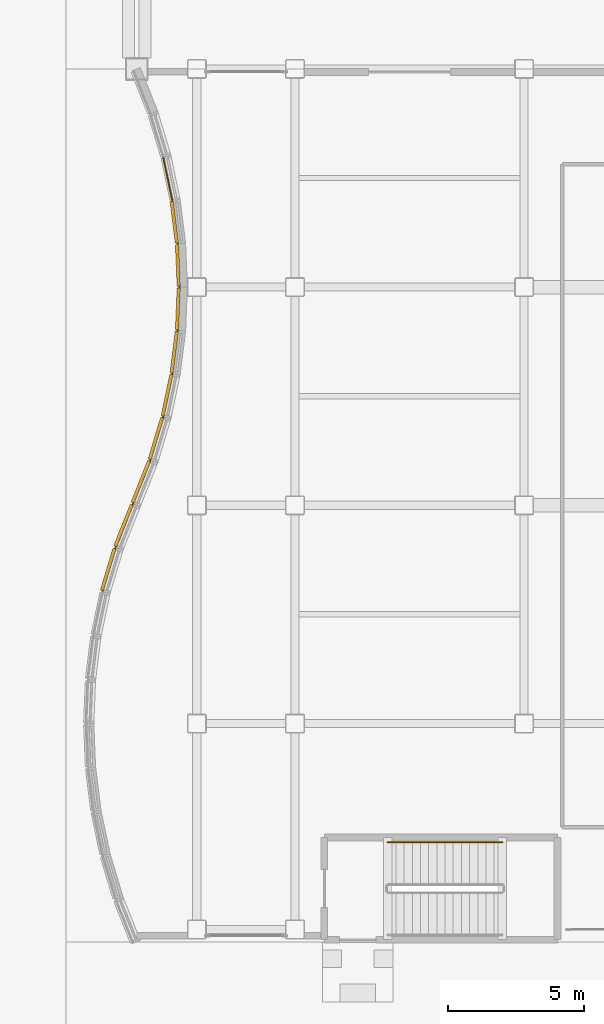
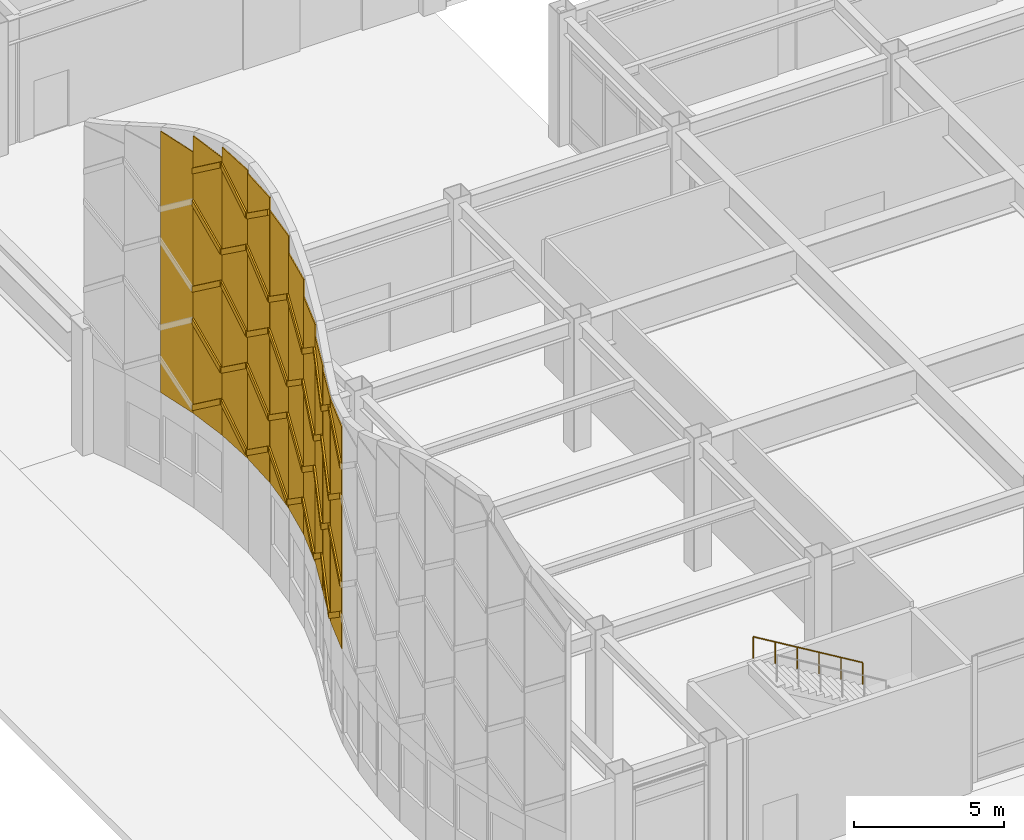
# One storey, part 141 of 165: 49 coverings, 1 railing.
"""IFC4 building model written with IfcOpenShell, lengths in metres."""

from ifc_helpers import new_model, si_unit, direction, frame, origin, origin_2d, place, context, subcontext, project, spatial, polyline, rectangle, circle, outline, extrude, material, layer, layer_set, type_object, element, save


model = new_model("IFC4")

# Units and contexts
model_context = context("Model", 3, precision=1e-05, world=origin(), true_north=direction((0.0, 1.0)))
body_context = subcontext(model_context, "Body", "Model", "MODEL_VIEW")
ifc_project = project(units=[si_unit("LENGTHUNIT", "METRE"), si_unit("AREAUNIT", "SQUARE_METRE"), si_unit("VOLUMEUNIT", "CUBIC_METRE"), si_unit("PLANEANGLEUNIT", "RADIAN"), si_unit("MASSUNIT", "GRAM", prefix="KILO")], contexts=[model_context])

# Site, building, storey
site_placement = place(None, origin())
site = spatial("IfcSite", under=ifc_project, at=site_placement, CompositionType="ELEMENT")
building_placement = place(site_placement, origin())
building = spatial("IfcBuilding", under=site, at=building_placement, Name="Kazehara Bluff Congress Hotel", CompositionType="ELEMENT")
storey_placement = place(building_placement, origin())
storey = spatial("IfcBuildingStorey", under=building, at=storey_placement, Name="L00", CompositionType="ELEMENT", Elevation=0.0)

# Coverings
ifc_material_1 = material(Name="Basalt stone-grey chevron ceramic tile", Category="masonry")
ifc_layer_1 = layer(ifc_material_1, 0.1201171875)
ifc_layer_set_1 = layer_set([ifc_layer_1], Name="Basalt stone-grey chevron ceramic tile")
covering_type_1 = type_object("IfcCoveringType", Name="TP-CHV-RIB", PredefinedType="CLADDING", material=ifc_layer_set_1)
covering_1_placement = place(storey_placement, frame((1.31494140625, 12.85009765625, 4.0), z_axis=(0.0, 0.0, 1.0), x_axis=(0.287361295213, 0.957822262225, 0.0)))
element("IfcCovering", 1, at=covering_1_placement, inside=storey, type_object=covering_type_1, Name="Chevron stone-grey tile rib WR-V2-09-1", PredefinedType="CLADDING", context=body_context, shape_type="SweptSolid", body=[
    extrude(outline(polyline([(0.0400390625, 1.14501953125), (1.6298828125, 0.0), (1.6298828125, 0.239990234375), (0.0400390625, 1.385009765625), (0.0400390625, 1.14501953125)])), frame((0.0, 0.06005859375, 0.0), z_axis=(0.0, -1.0, 0.0), x_axis=(1.0, 0.0, 0.0)), (0.0, 0.0, 1.0), 0.1201171875),
])
covering_2_placement = place(storey_placement, frame((1.31494140625, 12.85009765625, 6.39990234375), z_axis=(0.0, 0.0, 1.0), x_axis=(0.287361295213, 0.957822262225, 0.0)))
element("IfcCovering", 2, at=covering_2_placement, inside=storey, type_object=covering_type_1, Name="Chevron stone-grey tile rib WR-V2-09-2", PredefinedType="CLADDING", context=body_context, shape_type="SweptSolid", body=[
    extrude(outline(polyline([(0.0400390625, 0.0), (1.6298828125, 1.14501953125), (1.6298828125, 1.385009765625), (0.0400390625, 0.239990234375), (0.0400390625, 0.0)])), frame((0.0, 0.06005859375, 0.0), z_axis=(0.0, -1.0, 0.0), x_axis=(1.0, 0.0, 0.0)), (0.0, 0.0, 1.0), 0.1201171875),
])
covering_3_placement = place(storey_placement, frame((1.31494140625, 12.85009765625, 8.800048828125), z_axis=(0.0, 0.0, 1.0), x_axis=(0.287361295213, 0.957822262225, 0.0)))
element("IfcCovering", 3, at=covering_3_placement, inside=storey, type_object=covering_type_1, Name="Chevron stone-grey tile rib WR-V2-09-3", PredefinedType="CLADDING", context=body_context, shape_type="SweptSolid", body=[
    extrude(outline(polyline([(0.0400390625, 1.14501953125), (1.6298828125, 0.0), (1.6298828125, 0.239990234375), (0.0400390625, 1.385009765625), (0.0400390625, 1.14501953125)])), frame((0.0, 0.06005859375, 0.0), z_axis=(0.0, -1.0, 0.0), x_axis=(1.0, 0.0, 0.0)), (0.0, 0.0, 1.0), 0.1201171875),
])
covering_4_placement = place(storey_placement, frame((1.31494140625, 12.85009765625, 11.199951171875), z_axis=(0.0, 0.0, 1.0), x_axis=(0.287361295213, 0.957822262225, 0.0)))
element("IfcCovering", 4, at=covering_4_placement, inside=storey, type_object=covering_type_1, Name="Chevron stone-grey tile rib WR-V2-09-4", PredefinedType="CLADDING", context=body_context, shape_type="SweptSolid", body=[
    extrude(outline(polyline([(0.0400390625, 0.0), (1.6298828125, 1.14501953125), (1.6298828125, 1.385009765625), (0.0400390625, 0.239990234375), (0.0400390625, 0.0)])), frame((0.0, 0.06005859375, 0.0), z_axis=(0.0, -1.0, 0.0), x_axis=(1.0, 0.0, 0.0)), (0.0, 0.0, 1.0), 0.1201171875),
])
covering_5_placement = place(storey_placement, frame((1.800048828125, 14.465087890625, 4.0), z_axis=(0.0, 0.0, 1.0), x_axis=(0.368919432736, 0.929461377439, 0.0)))
element("IfcCovering", 5, at=covering_5_placement, inside=storey, type_object=covering_type_1, Name="Chevron stone-grey tile rib WR-V2-10-1", PredefinedType="CLADDING", context=body_context, shape_type="SweptSolid", body=[
    extrude(outline(polyline([(0.0400390625, 0.0), (1.679931640625, 1.179931640625), (1.679931640625, 1.419921875), (0.0400390625, 0.239990234375), (0.0400390625, 0.0)])), frame((0.0, 0.06005859375, 0.0), z_axis=(0.0, -1.0, 0.0), x_axis=(1.0, 0.0, 0.0)), (0.0, 0.0, 1.0), 0.1201171875),
])
covering_6_placement = place(storey_placement, frame((1.800048828125, 14.465087890625, 6.39990234375), z_axis=(0.0, 0.0, 1.0), x_axis=(0.368919432736, 0.929461377439, 0.0)))
element("IfcCovering", 6, at=covering_6_placement, inside=storey, type_object=covering_type_1, Name="Chevron stone-grey tile rib WR-V2-10-2", PredefinedType="CLADDING", context=body_context, shape_type="SweptSolid", body=[
    extrude(outline(polyline([(0.0400390625, 1.18017578125), (1.679931640625, 0.0), (1.679931640625, 0.239990234375), (0.0400390625, 1.420166015625), (0.0400390625, 1.18017578125)])), frame((0.0, 0.06005859375, 0.0), z_axis=(0.0, -1.0, 0.0), x_axis=(1.0, 0.0, 0.0)), (0.0, 0.0, 1.0), 0.1201171875),
])
covering_7_placement = place(storey_placement, frame((1.800048828125, 14.465087890625, 8.800048828125), z_axis=(0.0, 0.0, 1.0), x_axis=(0.368919432736, 0.929461377439, 0.0)))
element("IfcCovering", 7, at=covering_7_placement, inside=storey, type_object=covering_type_1, Name="Chevron stone-grey tile rib WR-V2-10-3", PredefinedType="CLADDING", context=body_context, shape_type="SweptSolid", body=[
    extrude(outline(polyline([(0.0400390625, 0.0), (1.679931640625, 1.179931640625), (1.679931640625, 1.419921875), (0.0400390625, 0.239990234375), (0.0400390625, 0.0)])), frame((0.0, 0.06005859375, 0.0), z_axis=(0.0, -1.0, 0.0), x_axis=(1.0, 0.0, 0.0)), (0.0, 0.0, 1.0), 0.1201171875),
])
covering_8_placement = place(storey_placement, frame((1.800048828125, 14.465087890625, 11.199951171875), z_axis=(0.0, 0.0, 1.0), x_axis=(0.368919432736, 0.929461377439, 0.0)))
element("IfcCovering", 8, at=covering_8_placement, inside=storey, type_object=covering_type_1, Name="Chevron stone-grey tile rib WR-V2-10-4", PredefinedType="CLADDING", context=body_context, shape_type="SweptSolid", body=[
    extrude(outline(polyline([(0.0400390625, 1.179931640625), (1.679931640625, 0.0), (1.679931640625, 0.239990234375), (0.0400390625, 1.420166015625), (0.0400390625, 1.179931640625)])), frame((0.0, 0.06005859375, 0.0), z_axis=(0.0, -1.0, 0.0), x_axis=(1.0, 0.0, 0.0)), (0.0, 0.0, 1.0), 0.1201171875),
])
covering_9_placement = place(storey_placement, frame((2.43505859375, 16.06494140625, 4.0), z_axis=(0.0, 0.0, 1.0), x_axis=(0.368870803066, 0.92948067793, 0.0)))
element("IfcCovering", 9, at=covering_9_placement, inside=storey, type_object=covering_type_1, Name="Chevron stone-grey tile rib WR-V2-11-1", PredefinedType="CLADDING", context=body_context, shape_type="SweptSolid", body=[
    extrude(outline(polyline([(0.0400390625, 1.179931640625), (1.679931640625, 0.0), (1.679931640625, 0.239990234375), (0.0400390625, 1.419921875), (0.0400390625, 1.179931640625)])), frame((0.0, 0.06005859375, 0.0), z_axis=(0.0, -1.0, 0.0), x_axis=(1.0, 0.0, 0.0)), (0.0, 0.0, 1.0), 0.1201171875),
])
covering_10_placement = place(storey_placement, frame((2.43505859375, 16.06494140625, 6.39990234375), z_axis=(0.0, 0.0, 1.0), x_axis=(0.368870803066, 0.92948067793, 0.0)))
element("IfcCovering", 10, at=covering_10_placement, inside=storey, type_object=covering_type_1, Name="Chevron stone-grey tile rib WR-V2-11-2", PredefinedType="CLADDING", context=body_context, shape_type="SweptSolid", body=[
    extrude(outline(polyline([(0.0400390625, 0.0), (1.679931640625, 1.18017578125), (1.679931640625, 1.420166015625), (0.0400390625, 0.239990234375), (0.0400390625, 0.0)])), frame((0.0, 0.06005859375, 0.0), z_axis=(0.0, -1.0, 0.0), x_axis=(1.0, 0.0, 0.0)), (0.0, 0.0, 1.0), 0.1201171875),
])
covering_11_placement = place(storey_placement, frame((2.43505859375, 16.06494140625, 8.800048828125), z_axis=(0.0, 0.0, 1.0), x_axis=(0.368870803066, 0.92948067793, 0.0)))
element("IfcCovering", 11, at=covering_11_placement, inside=storey, type_object=covering_type_1, Name="Chevron stone-grey tile rib WR-V2-11-3", PredefinedType="CLADDING", context=body_context, shape_type="SweptSolid", body=[
    extrude(outline(polyline([(0.0400390625, 1.179931640625), (1.679931640625, 0.0), (1.679931640625, 0.239990234375), (0.0400390625, 1.419921875), (0.0400390625, 1.179931640625)])), frame((0.0, 0.06005859375, 0.0), z_axis=(0.0, -1.0, 0.0), x_axis=(1.0, 0.0, 0.0)), (0.0, 0.0, 1.0), 0.1201171875),
])
covering_12_placement = place(storey_placement, frame((2.43505859375, 16.06494140625, 11.199951171875), z_axis=(0.0, 0.0, 1.0), x_axis=(0.368870803066, 0.92948067793, 0.0)))
element("IfcCovering", 12, at=covering_12_placement, inside=storey, type_object=covering_type_1, Name="Chevron stone-grey tile rib WR-V2-11-4", PredefinedType="CLADDING", context=body_context, shape_type="SweptSolid", body=[
    extrude(outline(polyline([(0.0400390625, 0.0), (1.679931640625, 1.179931640625), (1.679931640625, 1.420166015625), (0.0400390625, 0.239990234375), (0.0400390625, 0.0)])), frame((0.0, 0.06005859375, 0.0), z_axis=(0.0, -1.0, 0.0), x_axis=(1.0, 0.0, 0.0)), (0.0, 0.0, 1.0), 0.1201171875),
])
covering_13_placement = place(storey_placement, frame((3.06494140625, 17.64990234375, 4.0), z_axis=(0.0, 0.0, 1.0), x_axis=(0.287321069857, 0.957834329525, 0.0)))
element("IfcCovering", 13, at=covering_13_placement, inside=storey, type_object=covering_type_1, Name="Chevron stone-grey tile rib WR-V2-12-1", PredefinedType="CLADDING", context=body_context, shape_type="SweptSolid", body=[
    extrude(outline(polyline([(0.0400390625, 0.0), (1.6298828125, 1.14501953125), (1.6298828125, 1.385009765625), (0.0400390625, 0.239990234375), (0.0400390625, 0.0)])), frame((0.0, 0.06005859375, 0.0), z_axis=(0.0, -1.0, 0.0), x_axis=(1.0, 0.0, 0.0)), (0.0, 0.0, 1.0), 0.1201171875),
])
covering_14_placement = place(storey_placement, frame((3.06494140625, 17.64990234375, 6.39990234375), z_axis=(0.0, 0.0, 1.0), x_axis=(0.287321069857, 0.957834329525, 0.0)))
element("IfcCovering", 14, at=covering_14_placement, inside=storey, type_object=covering_type_1, Name="Chevron stone-grey tile rib WR-V2-12-2", PredefinedType="CLADDING", context=body_context, shape_type="SweptSolid", body=[
    extrude(outline(polyline([(0.0400390625, 1.14501953125), (1.6298828125, 0.0), (1.6298828125, 0.239990234375), (0.0400390625, 1.385009765625), (0.0400390625, 1.14501953125)])), frame((0.0, 0.06005859375, 0.0), z_axis=(0.0, -1.0, 0.0), x_axis=(1.0, 0.0, 0.0)), (0.0, 0.0, 1.0), 0.1201171875),
])
covering_15_placement = place(storey_placement, frame((3.06494140625, 17.64990234375, 8.800048828125), z_axis=(0.0, 0.0, 1.0), x_axis=(0.287321069857, 0.957834329525, 0.0)))
element("IfcCovering", 15, at=covering_15_placement, inside=storey, type_object=covering_type_1, Name="Chevron stone-grey tile rib WR-V2-12-3", PredefinedType="CLADDING", context=body_context, shape_type="SweptSolid", body=[
    extrude(outline(polyline([(0.0400390625, 0.0), (1.6298828125, 1.14501953125), (1.6298828125, 1.385009765625), (0.0400390625, 0.239990234375), (0.0400390625, 0.0)])), frame((0.0, 0.06005859375, 0.0), z_axis=(0.0, -1.0, 0.0), x_axis=(1.0, 0.0, 0.0)), (0.0, 0.0, 1.0), 0.1201171875),
])
covering_16_placement = place(storey_placement, frame((3.06494140625, 17.64990234375, 11.199951171875), z_axis=(0.0, 0.0, 1.0), x_axis=(0.287321069857, 0.957834329525, 0.0)))
element("IfcCovering", 16, at=covering_16_placement, inside=storey, type_object=covering_type_1, Name="Chevron stone-grey tile rib WR-V2-12-4", PredefinedType="CLADDING", context=body_context, shape_type="SweptSolid", body=[
    extrude(outline(polyline([(0.0400390625, 1.14501953125), (1.6298828125, 0.0), (1.6298828125, 0.239990234375), (0.0400390625, 1.385009765625), (0.0400390625, 1.14501953125)])), frame((0.0, 0.06005859375, 0.0), z_axis=(0.0, -1.0, 0.0), x_axis=(1.0, 0.0, 0.0)), (0.0, 0.0, 1.0), 0.1201171875),
])
covering_17_placement = place(storey_placement, frame((3.544921875, 19.235107421875, 4.0), z_axis=(0.0, 0.0, 1.0), x_axis=(0.204926381559, 0.978777389472, 0.0)))
element("IfcCovering", 17, at=covering_17_placement, inside=storey, type_object=covering_type_1, Name="Chevron stone-grey tile rib WR-V2-13-1", PredefinedType="CLADDING", context=body_context, shape_type="SweptSolid", body=[
    extrude(outline(polyline([(0.0400390625, 1.1201171875), (1.594970703125, 0.0), (1.594970703125, 0.239990234375), (0.0400390625, 1.360107421875), (0.0400390625, 1.1201171875)])), frame((0.0, 0.06005859375, 0.0), z_axis=(0.0, -1.0, 0.0), x_axis=(1.0, 0.0, 0.0)), (0.0, 0.0, 1.0), 0.1201171875),
])
covering_18_placement = place(storey_placement, frame((3.544921875, 19.235107421875, 6.39990234375), z_axis=(0.0, 0.0, 1.0), x_axis=(0.204926381559, 0.978777389472, 0.0)))
element("IfcCovering", 18, at=covering_18_placement, inside=storey, type_object=covering_type_1, Name="Chevron stone-grey tile rib WR-V2-13-2", PredefinedType="CLADDING", context=body_context, shape_type="SweptSolid", body=[
    extrude(outline(polyline([(0.0400390625, 0.0), (1.594970703125, 1.1201171875), (1.594970703125, 1.360107421875), (0.0400390625, 0.239990234375), (0.0400390625, 0.0)])), frame((0.0, 0.06005859375, 0.0), z_axis=(0.0, -1.0, 0.0), x_axis=(1.0, 0.0, 0.0)), (0.0, 0.0, 1.0), 0.1201171875),
])
covering_19_placement = place(storey_placement, frame((3.544921875, 19.235107421875, 8.800048828125), z_axis=(0.0, 0.0, 1.0), x_axis=(0.204926381559, 0.978777389472, 0.0)))
element("IfcCovering", 19, at=covering_19_placement, inside=storey, type_object=covering_type_1, Name="Chevron stone-grey tile rib WR-V2-13-3", PredefinedType="CLADDING", context=body_context, shape_type="SweptSolid", body=[
    extrude(outline(polyline([(0.0400390625, 1.119873046875), (1.594970703125, 0.0), (1.594970703125, 0.239990234375), (0.0400390625, 1.35986328125), (0.0400390625, 1.119873046875)])), frame((0.0, 0.06005859375, 0.0), z_axis=(0.0, -1.0, 0.0), x_axis=(1.0, 0.0, 0.0)), (0.0, 0.0, 1.0), 0.1201171875),
])
covering_20_placement = place(storey_placement, frame((3.544921875, 19.235107421875, 11.199951171875), z_axis=(0.0, 0.0, 1.0), x_axis=(0.204926381559, 0.978777389472, 0.0)))
element("IfcCovering", 20, at=covering_20_placement, inside=storey, type_object=covering_type_1, Name="Chevron stone-grey tile rib WR-V2-13-4", PredefinedType="CLADDING", context=body_context, shape_type="SweptSolid", body=[
    extrude(outline(polyline([(0.0400390625, 0.0), (1.594970703125, 1.1201171875), (1.594970703125, 1.360107421875), (0.0400390625, 0.239990234375), (0.0400390625, 0.0)])), frame((0.0, 0.06005859375, 0.0), z_axis=(0.0, -1.0, 0.0), x_axis=(1.0, 0.0, 0.0)), (0.0, 0.0, 1.0), 0.1201171875),
])
covering_21_placement = place(storey_placement, frame((3.875, 20.820068359375, 4.0), z_axis=(0.0, 0.0, 1.0), x_axis=(0.124016097791, 0.992280206136, 0.0)))
element("IfcCovering", 21, at=covering_21_placement, inside=storey, type_object=covering_type_1, Name="Chevron stone-grey tile rib WR-V2-14-1", PredefinedType="CLADDING", context=body_context, shape_type="SweptSolid", body=[
    extrude(outline(polyline([(0.0400390625, 0.0), (1.570068359375, 1.10009765625), (1.570068359375, 1.340087890625), (0.0400390625, 0.239990234375), (0.0400390625, 0.0)])), frame((0.0, 0.06005859375, 0.0), z_axis=(0.0, -1.0, 0.0), x_axis=(1.0, 0.0, 0.0)), (0.0, 0.0, 1.0), 0.1201171875),
])
covering_22_placement = place(storey_placement, frame((3.875, 20.820068359375, 6.39990234375), z_axis=(0.0, 0.0, 1.0), x_axis=(0.124016097791, 0.992280206136, 0.0)))
element("IfcCovering", 22, at=covering_22_placement, inside=storey, type_object=covering_type_1, Name="Chevron stone-grey tile rib WR-V2-14-2", PredefinedType="CLADDING", context=body_context, shape_type="SweptSolid", body=[
    extrude(outline(polyline([(0.0400390625, 1.10009765625), (1.570068359375, 0.0), (1.570068359375, 0.239990234375), (0.0400390625, 1.340087890625), (0.0400390625, 1.10009765625)])), frame((0.0, 0.06005859375, 0.0), z_axis=(0.0, -1.0, 0.0), x_axis=(1.0, 0.0, 0.0)), (0.0, 0.0, 1.0), 0.1201171875),
])
covering_23_placement = place(storey_placement, frame((3.875, 20.820068359375, 8.800048828125), z_axis=(0.0, 0.0, 1.0), x_axis=(0.124016097791, 0.992280206136, 0.0)))
element("IfcCovering", 23, at=covering_23_placement, inside=storey, type_object=covering_type_1, Name="Chevron stone-grey tile rib WR-V2-14-3", PredefinedType="CLADDING", context=body_context, shape_type="SweptSolid", body=[
    extrude(outline(polyline([(0.0400390625, 0.0), (1.570068359375, 1.099853515625), (1.570068359375, 1.33984375), (0.0400390625, 0.239990234375), (0.0400390625, 0.0)])), frame((0.0, 0.06005859375, 0.0), z_axis=(0.0, -1.0, 0.0), x_axis=(1.0, 0.0, 0.0)), (0.0, 0.0, 1.0), 0.1201171875),
])
covering_24_placement = place(storey_placement, frame((3.875, 20.820068359375, 11.199951171875), z_axis=(0.0, 0.0, 1.0), x_axis=(0.124016097791, 0.992280206136, 0.0)))
element("IfcCovering", 24, at=covering_24_placement, inside=storey, type_object=covering_type_1, Name="Chevron stone-grey tile rib WR-V2-14-4", PredefinedType="CLADDING", context=body_context, shape_type="SweptSolid", body=[
    extrude(outline(polyline([(0.0400390625, 1.10009765625), (1.570068359375, 0.0), (1.570068359375, 0.239990234375), (0.0400390625, 1.340087890625), (0.0400390625, 1.10009765625)])), frame((0.0, 0.06005859375, 0.0), z_axis=(0.0, -1.0, 0.0), x_axis=(1.0, 0.0, 0.0)), (0.0, 0.0, 1.0), 0.1201171875),
])
covering_25_placement = place(storey_placement, frame((4.074951171875, 22.405029296875, 4.0), z_axis=(0.0, 0.0, 1.0), x_axis=(0.040558694327, 0.999177157622, 0.0)))
element("IfcCovering", 25, at=covering_25_placement, inside=storey, type_object=covering_type_1, Name="Chevron stone-grey tile rib WR-V2-15-1", PredefinedType="CLADDING", context=body_context, shape_type="SweptSolid", body=[
    extrude(outline(polyline([(0.0400390625, 1.094970703125), (1.56005859375, 0.0), (1.56005859375, 0.239990234375), (0.0400390625, 1.3349609375), (0.0400390625, 1.094970703125)])), frame((0.0, 0.06005859375, 0.0), z_axis=(0.0, -1.0, 0.0), x_axis=(1.0, 0.0, 0.0)), (0.0, 0.0, 1.0), 0.1201171875),
])
covering_26_placement = place(storey_placement, frame((4.074951171875, 22.405029296875, 6.39990234375), z_axis=(0.0, 0.0, 1.0), x_axis=(0.040558694327, 0.999177157622, 0.0)))
element("IfcCovering", 26, at=covering_26_placement, inside=storey, type_object=covering_type_1, Name="Chevron stone-grey tile rib WR-V2-15-2", PredefinedType="CLADDING", context=body_context, shape_type="SweptSolid", body=[
    extrude(outline(polyline([(0.0400390625, 0.0), (1.56005859375, 1.09521484375), (1.56005859375, 1.335205078125), (0.0400390625, 0.239990234375), (0.0400390625, 0.0)])), frame((0.0, 0.06005859375, 0.0), z_axis=(0.0, -1.0, 0.0), x_axis=(1.0, 0.0, 0.0)), (0.0, 0.0, 1.0), 0.1201171875),
])
covering_27_placement = place(storey_placement, frame((4.074951171875, 22.405029296875, 8.800048828125), z_axis=(0.0, 0.0, 1.0), x_axis=(0.040558694327, 0.999177157622, 0.0)))
element("IfcCovering", 27, at=covering_27_placement, inside=storey, type_object=covering_type_1, Name="Chevron stone-grey tile rib WR-V2-15-3", PredefinedType="CLADDING", context=body_context, shape_type="SweptSolid", body=[
    extrude(outline(polyline([(0.0400390625, 1.094970703125), (1.56005859375, 0.0), (1.56005859375, 0.239990234375), (0.0400390625, 1.3349609375), (0.0400390625, 1.094970703125)])), frame((0.0, 0.06005859375, 0.0), z_axis=(0.0, -1.0, 0.0), x_axis=(1.0, 0.0, 0.0)), (0.0, 0.0, 1.0), 0.1201171875),
])
covering_28_placement = place(storey_placement, frame((4.074951171875, 22.405029296875, 11.199951171875), z_axis=(0.0, 0.0, 1.0), x_axis=(0.040558694327, 0.999177157622, 0.0)))
element("IfcCovering", 28, at=covering_28_placement, inside=storey, type_object=covering_type_1, Name="Chevron stone-grey tile rib WR-V2-15-4", PredefinedType="CLADDING", context=body_context, shape_type="SweptSolid", body=[
    extrude(outline(polyline([(0.0400390625, 0.0), (1.56005859375, 1.094970703125), (1.56005859375, 1.3349609375), (0.0400390625, 0.239990234375), (0.0400390625, 0.0)])), frame((0.0, 0.06005859375, 0.0), z_axis=(0.0, -1.0, 0.0), x_axis=(1.0, 0.0, 0.0)), (0.0, 0.0, 1.0), 0.1201171875),
])
covering_29_placement = place(storey_placement, frame((4.074951171875, 22.405029296875, 13.60009765625), z_axis=(0.0, 0.0, 1.0), x_axis=(0.040558694327, 0.999177157622, 0.0)))
element("IfcCovering", 29, at=covering_29_placement, inside=storey, type_object=covering_type_1, Name="Chevron stone-grey tile rib WR-V2-15-5", PredefinedType="CLADDING", context=body_context, shape_type="SweptSolid", body=[
    extrude(outline(polyline([(0.0400390625, 1.094970703125), (1.56005859375, 0.0), (1.56005859375, 0.239990234375), (0.0400390625, 1.3349609375), (0.0400390625, 1.094970703125)])), frame((0.0, 0.06005859375, 0.0), z_axis=(0.0, -1.0, 0.0), x_axis=(1.0, 0.0, 0.0)), (0.0, 0.0, 1.0), 0.1201171875),
])
covering_30_placement = place(storey_placement, frame((4.139892578125, 23.9951171875, 4.0), z_axis=(0.0, 0.0, 1.0), x_axis=(-0.040558694327, 0.999177157622, 0.0)))
element("IfcCovering", 30, at=covering_30_placement, inside=storey, type_object=covering_type_1, Name="Chevron stone-grey tile rib WR-V2-16-1", PredefinedType="CLADDING", context=body_context, shape_type="SweptSolid", body=[
    extrude(outline(polyline([(0.0400390625, 0.0), (1.56005859375, 1.094970703125), (1.56005859375, 1.3349609375), (0.0400390625, 0.239990234375), (0.0400390625, 0.0)])), frame((0.0, 0.06005859375, 0.0), z_axis=(0.0, -1.0, 0.0), x_axis=(1.0, 0.0, 0.0)), (0.0, 0.0, 1.0), 0.1201171875),
])
covering_31_placement = place(storey_placement, frame((4.139892578125, 23.9951171875, 6.39990234375), z_axis=(0.0, 0.0, 1.0), x_axis=(-0.040558694327, 0.999177157622, 0.0)))
element("IfcCovering", 31, at=covering_31_placement, inside=storey, type_object=covering_type_1, Name="Chevron stone-grey tile rib WR-V2-16-2", PredefinedType="CLADDING", context=body_context, shape_type="SweptSolid", body=[
    extrude(outline(polyline([(0.0400390625, 1.09521484375), (1.56005859375, 0.0), (1.56005859375, 0.239990234375), (0.0400390625, 1.335205078125), (0.0400390625, 1.09521484375)])), frame((0.0, 0.06005859375, 0.0), z_axis=(0.0, -1.0, 0.0), x_axis=(1.0, 0.0, 0.0)), (0.0, 0.0, 1.0), 0.1201171875),
])
covering_32_placement = place(storey_placement, frame((4.139892578125, 23.9951171875, 8.800048828125), z_axis=(0.0, 0.0, 1.0), x_axis=(-0.040558694327, 0.999177157622, 0.0)))
element("IfcCovering", 32, at=covering_32_placement, inside=storey, type_object=covering_type_1, Name="Chevron stone-grey tile rib WR-V2-16-3", PredefinedType="CLADDING", context=body_context, shape_type="SweptSolid", body=[
    extrude(outline(polyline([(0.0400390625, 0.0), (1.56005859375, 1.094970703125), (1.56005859375, 1.3349609375), (0.0400390625, 0.239990234375), (0.0400390625, 0.0)])), frame((0.0, 0.06005859375, 0.0), z_axis=(0.0, -1.0, 0.0), x_axis=(1.0, 0.0, 0.0)), (0.0, 0.0, 1.0), 0.1201171875),
])
covering_33_placement = place(storey_placement, frame((4.139892578125, 23.9951171875, 11.199951171875), z_axis=(0.0, 0.0, 1.0), x_axis=(-0.040558694327, 0.999177157622, 0.0)))
element("IfcCovering", 33, at=covering_33_placement, inside=storey, type_object=covering_type_1, Name="Chevron stone-grey tile rib WR-V2-16-4", PredefinedType="CLADDING", context=body_context, shape_type="SweptSolid", body=[
    extrude(outline(polyline([(0.0400390625, 1.094970703125), (1.56005859375, 0.0), (1.56005859375, 0.239990234375), (0.0400390625, 1.3349609375), (0.0400390625, 1.094970703125)])), frame((0.0, 0.06005859375, 0.0), z_axis=(0.0, -1.0, 0.0), x_axis=(1.0, 0.0, 0.0)), (0.0, 0.0, 1.0), 0.1201171875),
])
covering_34_placement = place(storey_placement, frame((4.139892578125, 23.9951171875, 13.60009765625), z_axis=(0.0, 0.0, 1.0), x_axis=(-0.040558694327, 0.999177157622, 0.0)))
element("IfcCovering", 34, at=covering_34_placement, inside=storey, type_object=covering_type_1, Name="Chevron stone-grey tile rib WR-V2-16-5", PredefinedType="CLADDING", context=body_context, shape_type="SweptSolid", body=[
    extrude(outline(polyline([(0.0400390625, 0.0), (1.56005859375, 1.094970703125), (1.56005859375, 1.3349609375), (0.0400390625, 0.239990234375), (0.0400390625, 0.0)])), frame((0.0, 0.06005859375, 0.0), z_axis=(0.0, -1.0, 0.0), x_axis=(1.0, 0.0, 0.0)), (0.0, 0.0, 1.0), 0.1201171875),
])
covering_35_placement = place(storey_placement, frame((4.074951171875, 25.580078125, 4.0), z_axis=(0.0, 0.0, 1.0), x_axis=(-0.124016097791, 0.992280206136, 0.0)))
element("IfcCovering", 35, at=covering_35_placement, inside=storey, type_object=covering_type_1, Name="Chevron stone-grey tile rib WR-V2-17-1", PredefinedType="CLADDING", context=body_context, shape_type="SweptSolid", body=[
    extrude(outline(polyline([(0.0400390625, 1.10009765625), (1.570068359375, 0.0), (1.570068359375, 0.239990234375), (0.0400390625, 1.340087890625), (0.0400390625, 1.10009765625)])), frame((0.0, 0.06005859375, 0.0), z_axis=(0.0, -1.0, 0.0), x_axis=(1.0, 0.0, 0.0)), (0.0, 0.0, 1.0), 0.1201171875),
])
covering_36_placement = place(storey_placement, frame((4.074951171875, 25.580078125, 6.39990234375), z_axis=(0.0, 0.0, 1.0), x_axis=(-0.124016097791, 0.992280206136, 0.0)))
element("IfcCovering", 36, at=covering_36_placement, inside=storey, type_object=covering_type_1, Name="Chevron stone-grey tile rib WR-V2-17-2", PredefinedType="CLADDING", context=body_context, shape_type="SweptSolid", body=[
    extrude(outline(polyline([(0.0400390625, 0.0), (1.570068359375, 1.10009765625), (1.570068359375, 1.340087890625), (0.0400390625, 0.239990234375), (0.0400390625, 0.0)])), frame((0.0, 0.06005859375, 0.0), z_axis=(0.0, -1.0, 0.0), x_axis=(1.0, 0.0, 0.0)), (0.0, 0.0, 1.0), 0.1201171875),
])
covering_37_placement = place(storey_placement, frame((4.074951171875, 25.580078125, 8.800048828125), z_axis=(0.0, 0.0, 1.0), x_axis=(-0.124016097791, 0.992280206136, 0.0)))
element("IfcCovering", 37, at=covering_37_placement, inside=storey, type_object=covering_type_1, Name="Chevron stone-grey tile rib WR-V2-17-3", PredefinedType="CLADDING", context=body_context, shape_type="SweptSolid", body=[
    extrude(outline(polyline([(0.0400390625, 1.099853515625), (1.570068359375, 0.0), (1.570068359375, 0.239990234375), (0.0400390625, 1.33984375), (0.0400390625, 1.099853515625)])), frame((0.0, 0.06005859375, 0.0), z_axis=(0.0, -1.0, 0.0), x_axis=(1.0, 0.0, 0.0)), (0.0, 0.0, 1.0), 0.1201171875),
])
covering_38_placement = place(storey_placement, frame((4.074951171875, 25.580078125, 11.199951171875), z_axis=(0.0, 0.0, 1.0), x_axis=(-0.124016097791, 0.992280206136, 0.0)))
element("IfcCovering", 38, at=covering_38_placement, inside=storey, type_object=covering_type_1, Name="Chevron stone-grey tile rib WR-V2-17-4", PredefinedType="CLADDING", context=body_context, shape_type="SweptSolid", body=[
    extrude(outline(polyline([(0.0400390625, 0.0), (1.570068359375, 1.10009765625), (1.570068359375, 1.340087890625), (0.0400390625, 0.239990234375), (0.0400390625, 0.0)])), frame((0.0, 0.06005859375, 0.0), z_axis=(0.0, -1.0, 0.0), x_axis=(1.0, 0.0, 0.0)), (0.0, 0.0, 1.0), 0.1201171875),
])
covering_39_placement = place(storey_placement, frame((4.074951171875, 25.580078125, 13.60009765625), z_axis=(0.0, 0.0, 1.0), x_axis=(-0.124016097791, 0.992280206136, 0.0)))
element("IfcCovering", 39, at=covering_39_placement, inside=storey, type_object=covering_type_1, Name="Chevron stone-grey tile rib WR-V2-17-5", PredefinedType="CLADDING", context=body_context, shape_type="SweptSolid", body=[
    extrude(outline(polyline([(0.0400390625, 1.099853515625), (1.570068359375, 0.0), (1.570068359375, 0.239990234375), (0.0400390625, 1.33984375), (0.0400390625, 1.099853515625)])), frame((0.0, 0.06005859375, 0.0), z_axis=(0.0, -1.0, 0.0), x_axis=(1.0, 0.0, 0.0)), (0.0, 0.0, 1.0), 0.1201171875),
])
ifc_material_2 = material(Name="Stone-grey ceramic rainscreen", Category="masonry")
ifc_layer_2 = layer(ifc_material_2, 0.044921875)
ifc_layer_set_2 = layer_set([ifc_layer_2], Name="Stone-grey ceramic rainscreen")
covering_type_2 = type_object("IfcCoveringType", Name="TP-CLD-01", PredefinedType="CLADDING", material=ifc_layer_set_2)
covering_40_placement = place(storey_placement, frame((1.580078125, 13.64501953125, 3.8525390625), z_axis=(0.0, 0.0, 1.0), x_axis=(0.287347146097, 0.957826507062, 0.0)))
element("IfcCovering", 40, at=covering_40_placement, inside=storey, type_object=covering_type_2, Name="Chevron stone-grey ceramic cladding WR-V2-09", PredefinedType="CLADDING", context=body_context, shape_type="SweptSolid", body=[
    extrude(rectangle(XDim=1.64990234375, YDim=0.044921875, at=origin_2d()), origin(), (0.0, 0.0, 1.0), 9.0048828125),
])
covering_41_placement = place(storey_placement, frame((2.14501953125, 15.2548828125, 3.85009765625), z_axis=(0.0, 0.0, 1.0), x_axis=(0.368885506571, 0.929474842608, 0.0)))
element("IfcCovering", 41, at=covering_41_placement, inside=storey, type_object=covering_type_2, Name="Chevron stone-grey ceramic cladding WR-V2-10", PredefinedType="CLADDING", context=body_context, shape_type="SweptSolid", body=[
    extrude(rectangle(XDim=1.699951171875, YDim=0.044921875, at=origin_2d()), origin(), (0.0, 0.0, 1.0), 9.0),
])
covering_42_placement = place(storey_placement, frame((2.780029296875, 16.85498046875, 3.847412109375), z_axis=(0.0, 0.0, 1.0), x_axis=(0.368885506571, 0.929474842608, 0.0)))
element("IfcCovering", 42, at=covering_42_placement, inside=storey, type_object=covering_type_2, Name="Chevron stone-grey ceramic cladding WR-V2-11", PredefinedType="CLADDING", context=body_context, shape_type="SweptSolid", body=[
    extrude(rectangle(XDim=1.699951171875, YDim=0.044921875, at=origin_2d()), origin(), (0.0, 0.0, 1.0), 9.14501953125),
])
covering_43_placement = place(storey_placement, frame((3.330078125, 18.445068359375, 3.847412109375), z_axis=(0.0, 0.0, 1.0), x_axis=(0.287347146097, 0.957826507062, 0.0)))
element("IfcCovering", 43, at=covering_43_placement, inside=storey, type_object=covering_type_2, Name="Chevron stone-grey ceramic cladding WR-V2-12", PredefinedType="CLADDING", context=body_context, shape_type="SweptSolid", body=[
    extrude(rectangle(XDim=1.64990234375, YDim=0.044921875, at=origin_2d()), origin(), (0.0, 0.0, 1.0), 9.64501953125),
])
covering_44_placement = place(storey_placement, frame((3.735107421875, 20.030029296875, 3.85009765625), z_axis=(0.0, 0.0, 1.0), x_axis=(0.204931685276, 0.978776279019, 0.0)))
element("IfcCovering", 44, at=covering_44_placement, inside=storey, type_object=covering_type_2, Name="Chevron stone-grey ceramic cladding WR-V2-13", PredefinedType="CLADDING", context=body_context, shape_type="SweptSolid", body=[
    extrude(rectangle(XDim=1.614990234375, YDim=0.044921875, at=origin_2d()), origin(), (0.0, 0.0, 1.0), 10.340087890625),
])
covering_45_placement = place(storey_placement, frame((4.0, 21.6201171875, 3.8525390625), z_axis=(0.0, 0.0, 1.0), x_axis=(0.12403445145, 0.992277912106, 0.0)))
element("IfcCovering", 45, at=covering_45_placement, inside=storey, type_object=covering_type_2, Name="Chevron stone-grey ceramic cladding WR-V2-14", PredefinedType="CLADDING", context=body_context, shape_type="SweptSolid", body=[
    extrude(rectangle(XDim=1.590087890625, YDim=0.044921875, at=origin_2d()), origin(), (0.0, 0.0, 1.0), 11.034912109375),
])
covering_46_placement = place(storey_placement, frame((4.1298828125, 23.205078125, 3.849853515625), z_axis=(0.0, 0.0, 1.0), x_axis=(0.040592183983, 0.999175797645, 0.0)))
element("IfcCovering", 46, at=covering_46_placement, inside=storey, type_object=covering_type_2, Name="Chevron stone-grey ceramic cladding WR-V2-15", PredefinedType="CLADDING", context=body_context, shape_type="SweptSolid", body=[
    extrude(rectangle(XDim=1.580078125, YDim=0.044921875, at=origin_2d()), origin(), (0.0, 0.0, 1.0), 11.56005859375),
])
covering_47_placement = place(storey_placement, frame((4.1298828125, 24.794921875, 3.8525390625), z_axis=(0.0, 0.0, 1.0), x_axis=(-0.040592183983, 0.999175797645, 0.0)))
element("IfcCovering", 47, at=covering_47_placement, inside=storey, type_object=covering_type_2, Name="Chevron stone-grey ceramic cladding WR-V2-16", PredefinedType="CLADDING", context=body_context, shape_type="SweptSolid", body=[
    extrude(rectangle(XDim=1.580078125, YDim=0.044921875, at=origin_2d()), origin(), (0.0, 0.0, 1.0), 11.68505859375),
])
covering_48_placement = place(storey_placement, frame((4.0, 26.3798828125, 3.8525390625), z_axis=(0.0, 0.0, 1.0), x_axis=(-0.12403445145, 0.992277912106, 0.0)))
element("IfcCovering", 48, at=covering_48_placement, inside=storey, type_object=covering_type_2, Name="Chevron stone-grey ceramic cladding WR-V2-17", PredefinedType="CLADDING", context=body_context, shape_type="SweptSolid", body=[
    extrude(rectangle(XDim=1.590087890625, YDim=0.044921875, at=origin_2d()), origin(), (0.0, 0.0, 1.0), 11.2548828125),
])
covering_49_placement = place(storey_placement, frame((3.735107421875, 27.969970703125, 3.8525390625), z_axis=(0.0, 0.0, 1.0), x_axis=(-0.204931685276, 0.978776279019, 0.0)))
element("IfcCovering", 49, at=covering_49_placement, inside=storey, type_object=covering_type_2, Name="Chevron stone-grey ceramic cladding WR-V2-18", PredefinedType="CLADDING", context=body_context, shape_type="SweptSolid", body=[
    extrude(rectangle(XDim=1.614990234375, YDim=0.044921875, at=origin_2d()), origin(), (0.0, 0.0, 1.0), 10.594970703125),
])

# Railing
ifc_material_3 = material(Name="Brushed stainless steel", Category="steel")
railing_type = type_object("IfcRailingType", Name="TP-HR-INT", PredefinedType="HANDRAIL", material=ifc_material_3)
railing_placement = place(storey_placement, frame((16.0, 3.64990234375, 2.8798828125)))
element("IfcRailing", 50, at=railing_placement, inside=storey, type_object=railing_type, Name="L00 ST-04 stair handrail 2", PredefinedType="HANDRAIL", context=body_context, shape_type="SweptSolid", body=[
    extrude(circle(Radius=0.02392578125, at=origin_2d()), frame((0.0, 0.0, 0.8759765625), z_axis=(-0.857488527567, 0.0, 0.514503085598), x_axis=(0.0, -1.0, 0.0)), (0.0, 0.0, 1.0), 4.89794921875),
    extrude(circle(Radius=0.02099609375, at=origin_2d()), origin(), (0.0, 0.0, 1.0), 0.851806640625),
    extrude(circle(Radius=0.02099609375, at=origin_2d()), frame((-0.840087890625, 0.0, 0.50390625)), (0.0, 0.0, 1.0), 0.851806640625),
    extrude(circle(Radius=0.02099609375, at=origin_2d()), frame((-1.679931640625, 0.0, 1.008056640625)), (0.0, 0.0, 1.0), 0.851806640625),
    extrude(circle(Radius=0.02099609375, at=origin_2d()), frame((-2.52001953125, 0.0, 1.511962890625)), (0.0, 0.0, 1.0), 0.851806640625),
    extrude(circle(Radius=0.02099609375, at=origin_2d()), frame((-3.35986328125, 0.0, 2.01611328125)), (0.0, 0.0, 1.0), 0.851806640625),
    extrude(circle(Radius=0.02099609375, at=origin_2d()), frame((-4.199951171875, 0.0, 2.52001953125)), (0.0, 0.0, 1.0), 0.851806640625),
])

save(model, "model.ifc")
